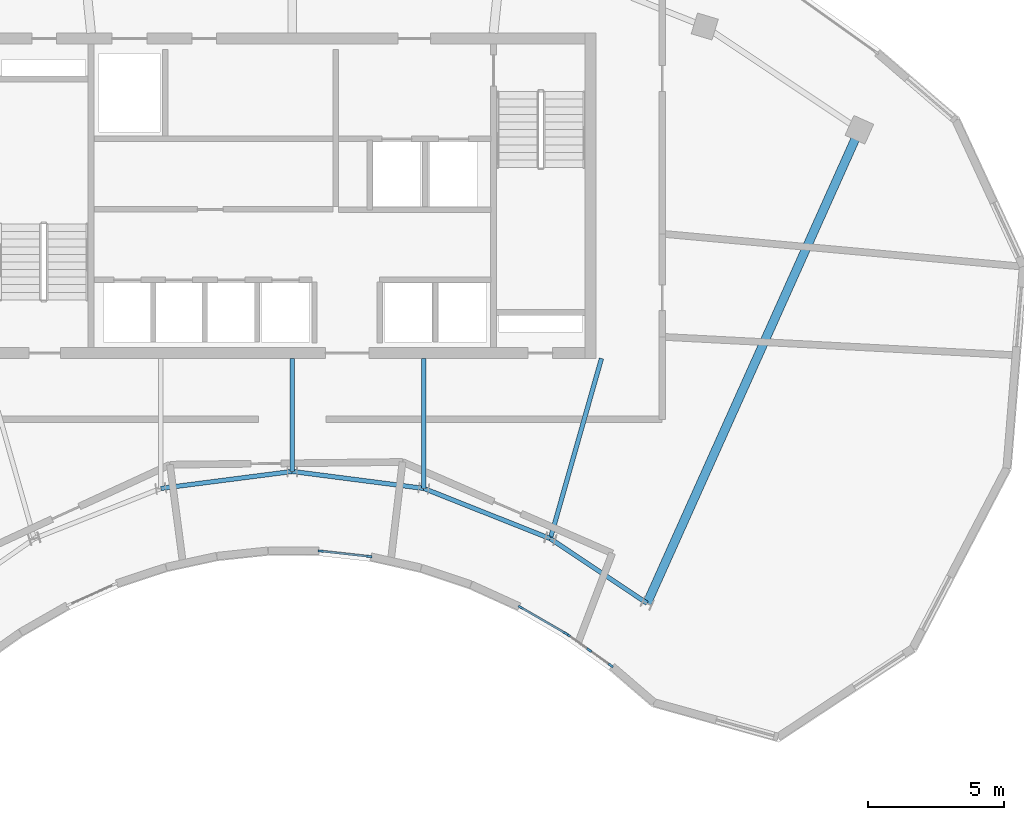
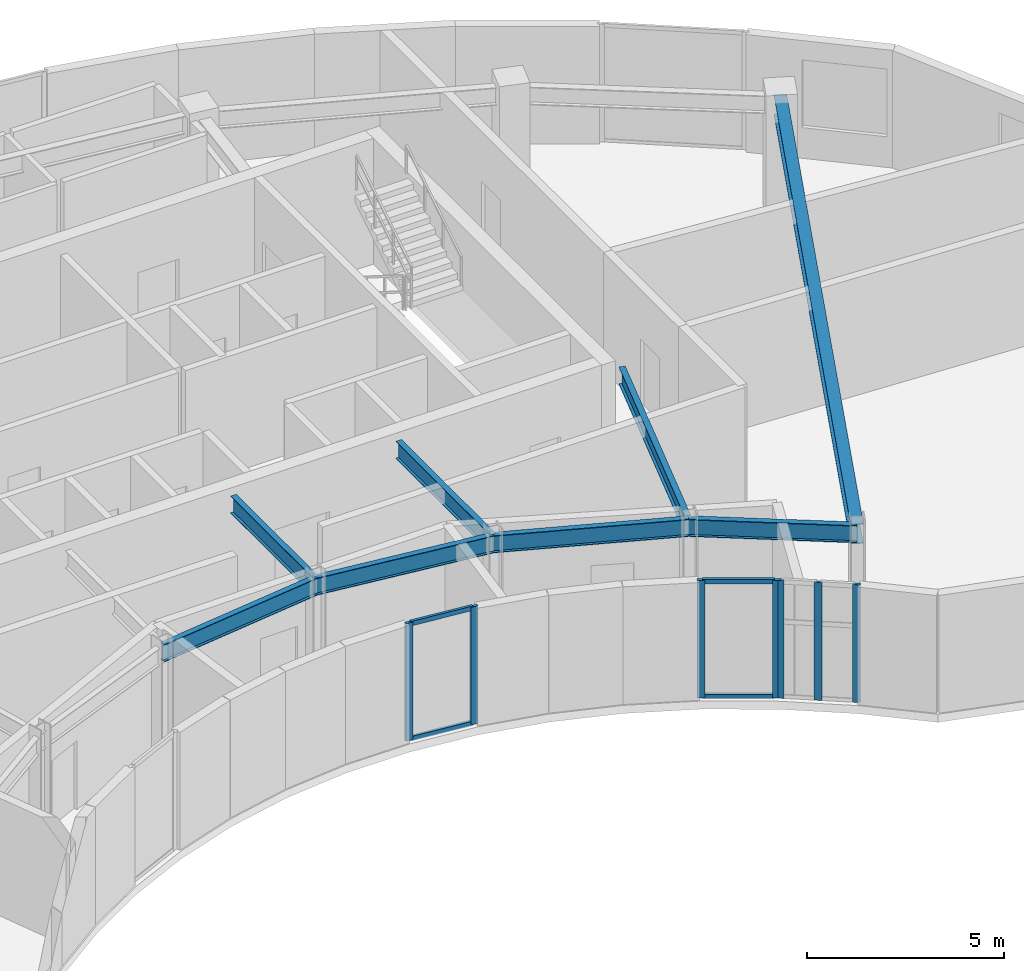
# One storey, part 3 of 12: 11 members, 8 beams, 3 elements without a shape of their own.
"""IFC4 building model written with IfcOpenShell, lengths in metres."""

from ifc_helpers import new_model, si_unit, direction, frame, origin, origin_2d, place, context, subcontext, project, spatial, rectangle, i_section, extrude, source, transform, mapped, material, layer, layer_set, material_profile, profile_set, type_object, type_shapes, element, aggregate, save


model = new_model("IFC4")

# Units and contexts
model_context = context("Model", 3, precision=1e-05, world=origin(), true_north=direction((0.0, 1.0)))
body_context = subcontext(model_context, "Body", "Model", "MODEL_VIEW")
ifc_project = project(units=[si_unit("LENGTHUNIT", "METRE"), si_unit("AREAUNIT", "SQUARE_METRE"), si_unit("VOLUMEUNIT", "CUBIC_METRE"), si_unit("PLANEANGLEUNIT", "RADIAN"), si_unit("MASSUNIT", "GRAM", prefix="KILO")], contexts=[model_context])

# Site, building, storey
site_placement = place(None, origin())
site = spatial("IfcSite", under=ifc_project, at=site_placement, CompositionType="ELEMENT")
building_placement = place(site_placement, origin())
building = spatial("IfcBuilding", under=site, at=building_placement, Name="Breltana Convention Tower", CompositionType="ELEMENT")
storey_placement = place(building_placement, frame((0.0, 0.0, 260.10009765625)))
storey = spatial("IfcBuildingStorey", under=building, at=storey_placement, Name="L63", CompositionType="ELEMENT", Elevation=260.10009765625)

# Beams
ifc_material_1 = material(Name="Steel ASTM A992 Grade 50", Category="steel")
ifc_material_profile_1 = material_profile(ifc_material_1, i_section(OverallWidth=0.166015625, OverallDepth=0.534912109375, WebThickness=0.01025390625, FlangeThickness=0.0166015625, at=origin_2d()), Name="W21X57")
ifc_profile_set_1 = profile_set([ifc_material_profile_1], Name="Steel ASTM A992 Grade 50")
beam_type_1 = type_object("IfcBeamType", Name="BM-BM-W21X57", PredefinedType="BEAM", material=ifc_profile_set_1)
shared_shape_1 = source(origin(), body_context, "Body", "SweptSolid", [
    extrude(i_section(OverallWidth=0.166015625, OverallDepth=0.534912109375, WebThickness=0.01025390625, FlangeThickness=0.0166015625, at=origin_2d()), origin(), (0.0, 0.0, 1.0), 6.904541015625),
])
type_shapes(beam_type_1, [shared_shape_1])
beam_1_placement = place(storey_placement, frame((59.39990234375, 60.199951171875, 3.38232421875), z_axis=(-0.273006781054, -0.962012108811, 0.0), x_axis=(0.962012108811, -0.273006781054, 0.0)))
element("IfcBeam", 1, at=beam_1_placement, inside=storey, type_object=beam_type_1, Name="L63 South Core Tie Girder R08", PredefinedType="BEAM", context=body_context, shape_type="MappedRepresentation", body=[
    mapped(shared_shape_1, transform((0.0, 0.0, 0.0), scale=1.0)),
])
shared_shape_2 = source(origin(), body_context, "Body", "SweptSolid", [
    extrude(i_section(OverallWidth=0.166015625, OverallDepth=0.534912109375, WebThickness=0.01025390625, FlangeThickness=0.0166015625, at=origin_2d()), origin(), (0.0, 0.0, 1.0), 4.789306640625),
])
beam_2_placement = place(storey_placement, frame((52.846435546875, 60.199951171875, 3.38232421875), z_axis=(0.0, -1.0, 0.0), x_axis=(1.0, 0.0, 0.0)))
element("IfcBeam", 2, at=beam_2_placement, inside=storey, type_object=beam_type_1, Name="L63 South Core Tie Girder R07", PredefinedType="BEAM", context=body_context, shape_type="MappedRepresentation", body=[
    mapped(shared_shape_2, transform((0.0, 0.0, 0.0), scale=1.0)),
])
shared_shape_3 = source(origin(), body_context, "Body", "SweptSolid", [
    extrude(i_section(OverallWidth=0.166015625, OverallDepth=0.534912109375, WebThickness=0.01025390625, FlangeThickness=0.0166015625, at=origin_2d()), origin(), (0.0, 0.0, 1.0), 4.1640625),
])
beam_3_placement = place(storey_placement, frame((48.0, 60.199951171875, 3.38232421875), z_axis=(0.0, -1.0, 0.0), x_axis=(1.0, 0.0, 0.0)))
element("IfcBeam", 3, at=beam_3_placement, inside=storey, type_object=beam_type_1, Name="L63 South Core Tie Girder R06", PredefinedType="BEAM", context=body_context, shape_type="MappedRepresentation", body=[
    mapped(shared_shape_3, transform((0.0, 0.0, 0.0), scale=1.0)),
])
shared_shape_4 = source(origin(), body_context, "Body", "SweptSolid", [
    extrude(i_section(OverallWidth=0.166015625, OverallDepth=0.534912109375, WebThickness=0.01025390625, FlangeThickness=0.0166015625, at=origin_2d()), origin(), (0.0, 0.0, 1.0), 5.022705078125),
])
beam_4_placement = place(storey_placement, frame((52.846435546875, 55.41064453125, 3.38232421875), z_axis=(0.929458966248, -0.368925507469, 0.0), x_axis=(0.368925507469, 0.929458966248, 0.0)))
element("IfcBeam", 4, at=beam_4_placement, inside=storey, type_object=beam_type_1, Name="L63 Inner Ring Beam 07", PredefinedType="BEAM", context=body_context, shape_type="MappedRepresentation", body=[
    mapped(shared_shape_4, transform((0.0, 0.0, 0.0), scale=1.0)),
])
shared_shape_5 = source(origin(), body_context, "Body", "SweptSolid", [
    extrude(i_section(OverallWidth=0.166015625, OverallDepth=0.534912109375, WebThickness=0.01025390625, FlangeThickness=0.0166015625, at=origin_2d()), origin(), (0.0, 0.0, 1.0), 4.88671875),
])
for number, where, z_axis, x_axis, name in (
    (5, (43.153564453125, 55.41064453125, 3.38232421875), (0.991780525565, 0.127950729231, 0.0), (-0.127950729231, 0.991780525565, 0.0), "L63 Inner Ring Beam 05"),
    (6, (48.0, 56.035888671875, 3.38232421875), (0.991780525565, -0.127950729231, 0.0), (0.127950729231, 0.991780525565, 0.0), "L63 Inner Ring Beam 06"),
):
    element("IfcBeam", number, at=place(storey_placement, frame(where, z_axis=z_axis, x_axis=x_axis)), inside=storey, type_object=beam_type_1, Name=name, PredefinedType="BEAM", context=body_context, shape_type="MappedRepresentation", body=[
        mapped(shared_shape_5, transform((0.0, 0.0, 0.0), scale=1.0)),
    ])
shared_shape_6 = source(origin(), body_context, "Body", "SweptSolid", [
    extrude(i_section(OverallWidth=0.166015625, OverallDepth=0.534912109375, WebThickness=0.01025390625, FlangeThickness=0.0166015625, at=origin_2d()), origin(), (0.0, 0.0, 1.0), 4.2900390625),
])
beam_5_placement = place(storey_placement, frame((57.514892578125, 53.5576171875, 3.38232421875), z_axis=(0.831515827753, -0.555501060482, 0.0), x_axis=(0.555501060482, 0.831515827753, 0.0)))
element("IfcBeam", 7, at=beam_5_placement, inside=storey, type_object=beam_type_1, Name="L63 Inner Ring Beam 08", PredefinedType="BEAM", context=body_context, shape_type="MappedRepresentation", body=[
    mapped(shared_shape_6, transform((0.0, 0.0, 0.0), scale=1.0)),
])
ifc_material_profile_2 = material_profile(ifc_material_1, i_section(OverallWidth=0.326904296875, OverallDepth=0.6220703125, WebThickness=0.015380859375, FlangeThickness=0.0244140625, at=origin_2d()), Name="W24X131")
ifc_profile_set_2 = profile_set([ifc_material_profile_2], Name="Steel ASTM A992 Grade 50")
beam_type_2 = type_object("IfcBeamType", Name="BM-RG-W24X131", PredefinedType="USERDEFINED", material=ifc_profile_set_2)
shared_shape_7 = source(origin(), body_context, "Body", "SweptSolid", [
    extrude(i_section(OverallWidth=0.326904296875, OverallDepth=0.6220703125, WebThickness=0.015380859375, FlangeThickness=0.0244140625, at=origin_2d()), origin(), (0.0, 0.0, 1.0), 19.133544921875),
])
beam_6_placement = place(storey_placement, frame((61.08203125, 51.174560546875, 3.3388671875), z_axis=(0.409144564164, 0.912469575172, 0.0), x_axis=(-0.912469575172, 0.409144564164, 0.0)))
element("IfcBeam", 8, at=beam_6_placement, inside=storey, type_object=beam_type_2, Name="L63 Radial Floor Girder R09", ObjectType="GIRDER", PredefinedType="USERDEFINED", context=body_context, shape_type="MappedRepresentation", body=[
    mapped(shared_shape_7, transform((0.0, 0.0, 0.0), scale=1.0)),
])

# Curtain wall, members
ifc_material_2 = material(Name="Aluminium Anodised Bronze Frame", Category="aluminium")
ifc_layer = layer(ifc_material_2, 0.18994140625, Name="Aluminium Anodised Bronze Frame")
ifc_layer_set = layer_set([ifc_layer], Name="Aluminium Anodised Bronze Frame")
curtain_wall_type = type_object("IfcCurtainWallType", Name="CW-SYS-1", PredefinedType="NOTDEFINED", material=ifc_layer_set)
curtain_wall_1_placement = place(storey_placement, origin())
curtain_wall_1 = element("IfcCurtainWall", 9, at=curtain_wall_1_placement, inside=storey, type_object=curtain_wall_type, Name="L63 inner south-court glazing 1", PredefinedType="NOTDEFINED")
ifc_material_3 = material(Name="Aluminium Anodised Bronze", Category="aluminium")
ifc_material_profile_3 = material_profile(ifc_material_3, rectangle(XDim=0.080078125, YDim=0.199951171875, at=origin_2d()), Name="CWM-80X200")
ifc_profile_set_3 = profile_set([ifc_material_profile_3], Name="Aluminium Anodised Bronze")
member_type_1 = type_object("IfcMemberType", Name="CWM-200", PredefinedType="MULLION", material=ifc_profile_set_3)
shared_shape_8 = source(origin(), body_context, "Body", "SweptSolid", [
    extrude(rectangle(XDim=0.080078125, YDim=0.199951171875, at=origin_2d()), origin(), (0.0, 0.0, 1.0), 3.64990234375),
])
member_1_placement = place(storey_placement, frame((59.743896484375, 48.881591796875, 0.0), z_axis=(0.0, 0.0, 1.0), x_axis=(-0.58065619198, -0.814148872575, 0.0)))
member_1 = element("IfcMember", 10, at=member_1_placement, type_object=member_type_1, Name="CW-01 mullion 1", PredefinedType="MULLION", context=body_context, shape_type="MappedRepresentation", body=[
    mapped(shared_shape_8, transform((0.0, 0.0, 0.0), scale=1.0)),
])
member_2_placement = place(storey_placement, frame((58.94921875, 49.448486328125, 0.0), z_axis=(0.0, 0.0, 1.0), x_axis=(-0.58065619198, -0.814148872575, 0.0)))
member_2 = element("IfcMember", 11, at=member_2_placement, type_object=member_type_1, Name="CW-01 mullion 2", PredefinedType="MULLION", context=body_context, shape_type="MappedRepresentation", body=[
    mapped(shared_shape_8, transform((0.0, 0.0, 0.0), scale=1.0)),
])
member_3_placement = place(storey_placement, frame((58.154541015625, 50.01513671875, 0.0), z_axis=(0.0, 0.0, 1.0), x_axis=(-0.58065619198, -0.814148872575, 0.0)))
member_3 = element("IfcMember", 12, at=member_3_placement, type_object=member_type_1, Name="CW-01 mullion 3", PredefinedType="MULLION", context=body_context, shape_type="MappedRepresentation", body=[
    mapped(shared_shape_8, transform((0.0, 0.0, 0.0), scale=1.0)),
])
aggregate(curtain_wall_1, [member_1, member_2, member_3])

curtain_wall_2_placement = place(storey_placement, origin())
curtain_wall_2 = element("IfcCurtainWall", 13, at=curtain_wall_2_placement, inside=storey, type_object=curtain_wall_type, Name="L63 inner south-court glazing 2", PredefinedType="NOTDEFINED")
member_4_placement = place(storey_placement, frame((58.072998046875, 50.067626953125, 0.0), z_axis=(0.0, 0.0, 1.0), x_axis=(-0.501216684434, -0.865321810221, 0.0)))
member_4 = element("IfcMember", 14, at=member_4_placement, type_object=member_type_1, Name="CW-01 mullion 1", PredefinedType="MULLION", context=body_context, shape_type="MappedRepresentation", body=[
    mapped(shared_shape_8, transform((0.0, 0.0, 0.0), scale=1.0)),
])
member_5_placement = place(storey_placement, frame((56.421875, 51.024169921875, 0.0), z_axis=(0.0, 0.0, 1.0), x_axis=(-0.501216684434, -0.865321810221, 0.0)))
member_5 = element("IfcMember", 15, at=member_5_placement, type_object=member_type_1, Name="CW-01 mullion 2", PredefinedType="MULLION", context=body_context, shape_type="MappedRepresentation", body=[
    mapped(shared_shape_8, transform((0.0, 0.0, 0.0), scale=1.0)),
])

curtain_wall_3_placement = place(storey_placement, origin())
curtain_wall_3 = element("IfcCurtainWall", 16, at=curtain_wall_3_placement, inside=storey, type_object=curtain_wall_type, Name="L63 inner south-court glazing 3", PredefinedType="NOTDEFINED")
member_6_placement = place(storey_placement, frame((50.83544921875, 52.89990234375, 0.0), z_axis=(0.0, 0.0, 1.0), x_axis=(-0.111260774995, -0.993791245659, 0.0)))
member_6 = element("IfcMember", 17, at=member_6_placement, type_object=member_type_1, Name="CW-01 mullion 1", PredefinedType="MULLION", context=body_context, shape_type="MappedRepresentation", body=[
    mapped(shared_shape_8, transform((0.0, 0.0, 0.0), scale=1.0)),
])
member_7_placement = place(storey_placement, frame((49.04736328125, 53.10009765625, 0.0), z_axis=(0.0, 0.0, 1.0), x_axis=(-0.111260774995, -0.993791245659, 0.0)))
member_7 = element("IfcMember", 18, at=member_7_placement, type_object=member_type_1, Name="CW-01 mullion 2", PredefinedType="MULLION", context=body_context, shape_type="MappedRepresentation", body=[
    mapped(shared_shape_8, transform((0.0, 0.0, 0.0), scale=1.0)),
])

# Member
ifc_material_profile_4 = material_profile(ifc_material_3, rectangle(XDim=0.080078125, YDim=0.139892578125, at=origin_2d()), Name="CWT-80X140")
ifc_profile_set_4 = profile_set([ifc_material_profile_4], Name="Aluminium Anodised Bronze")
member_type_2 = type_object("IfcMemberType", Name="CWT-140", PredefinedType="USERDEFINED", material=ifc_profile_set_4)
shared_shape_9 = source(origin(), body_context, "Body", "SweptSolid", [
    extrude(rectangle(XDim=0.080078125, YDim=0.139892578125, at=origin_2d()), origin(), (0.0, 0.0, 1.0), 1.828125),
])
member_8_placement = place(storey_placement, frame((58.03857421875, 50.087890625, 0.039794921875), z_axis=(-0.865343988334, 0.501178393243, 0.0), x_axis=(-0.501178393243, -0.865343988334, 0.0)))
member_8 = element("IfcMember", 19, at=member_8_placement, type_object=member_type_2, Name="CW-01 transom 1.1", ObjectType="TRANSOM", PredefinedType="USERDEFINED", context=body_context, shape_type="MappedRepresentation", body=[
    mapped(shared_shape_9, transform((0.0, 0.0, 0.0), scale=1.0)),
])

member_9_placement = place(storey_placement, frame((58.03857421875, 50.087890625, 3.60986328125), z_axis=(-0.865343988334, 0.501178393243, 0.0), x_axis=(-0.501178393243, -0.865343988334, 0.0)))
member_9 = element("IfcMember", 20, at=member_9_placement, type_object=member_type_2, Name="CW-01 transom 1.2", ObjectType="TRANSOM", PredefinedType="USERDEFINED", context=body_context, shape_type="MappedRepresentation", body=[
    mapped(shared_shape_9, transform((0.0, 0.0, 0.0), scale=1.0)),
])

aggregate(curtain_wall_2, [member_4, member_5, member_8, member_9])

shared_shape_10 = source(origin(), body_context, "Body", "SweptSolid", [
    extrude(rectangle(XDim=0.080078125, YDim=0.139892578125, at=origin_2d()), origin(), (0.0, 0.0, 1.0), 1.719482421875),
])
member_10_placement = place(storey_placement, frame((50.795654296875, 52.904296875, 0.039794921875), z_axis=(-0.993784637676, 0.111319782246, 0.0), x_axis=(-0.111319782246, -0.993784637676, 0.0)))
member_10 = element("IfcMember", 21, at=member_10_placement, type_object=member_type_2, Name="CW-01 transom 1.1", ObjectType="TRANSOM", PredefinedType="USERDEFINED", context=body_context, shape_type="MappedRepresentation", body=[
    mapped(shared_shape_10, transform((0.0, 0.0, 0.0), scale=1.0)),
])

member_11_placement = place(storey_placement, frame((50.795654296875, 52.904296875, 3.60986328125), z_axis=(-0.993784637676, 0.111319782246, 0.0), x_axis=(-0.111319782246, -0.993784637676, 0.0)))
member_11 = element("IfcMember", 22, at=member_11_placement, type_object=member_type_2, Name="CW-01 transom 1.2", ObjectType="TRANSOM", PredefinedType="USERDEFINED", context=body_context, shape_type="MappedRepresentation", body=[
    mapped(shared_shape_10, transform((0.0, 0.0, 0.0), scale=1.0)),
])

aggregate(curtain_wall_3, [member_6, member_7, member_10, member_11])

save(model, "model.ifc")
